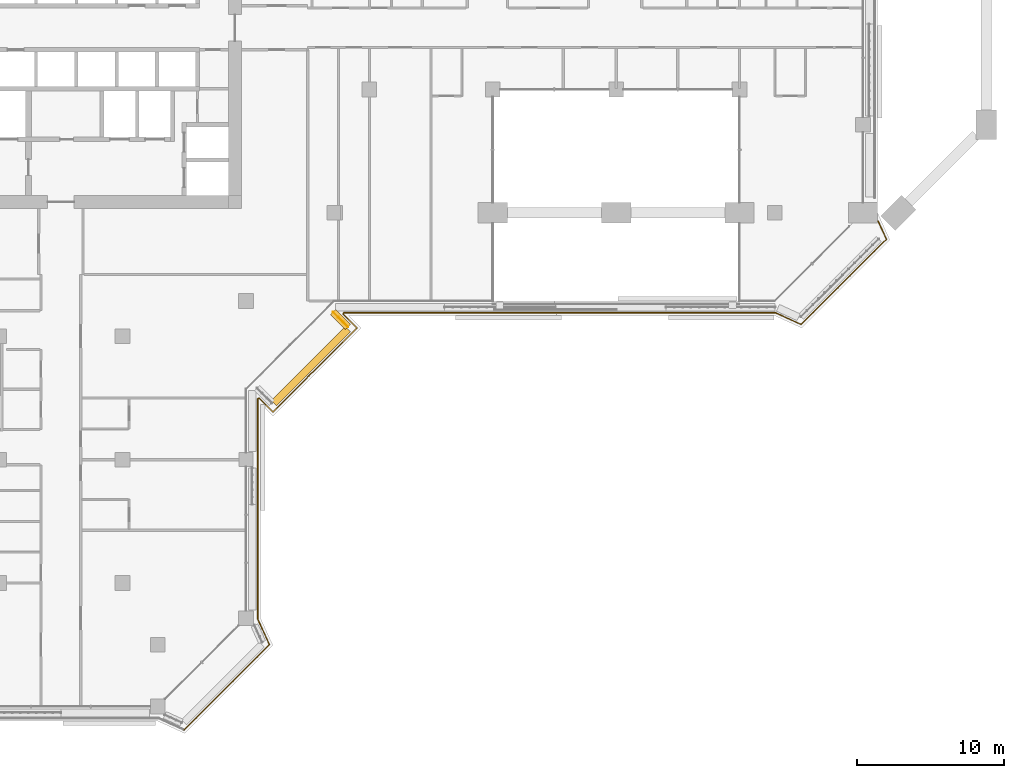
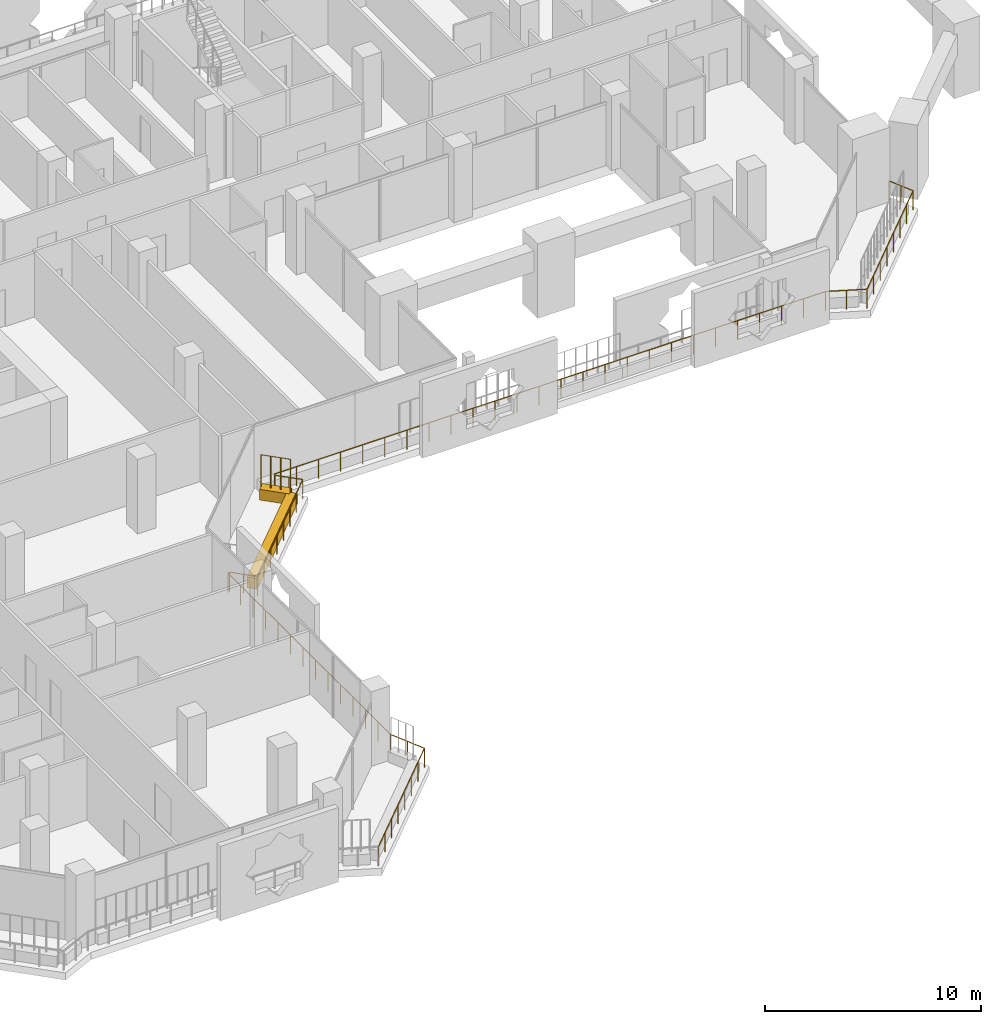
# One storey, part 19 of 24: 2 coverings, 2 railings.
"""IFC4 building model written with IfcOpenShell, lengths in metres."""

import ifcopenshell
import ifcopenshell.guid

model = None  # the IFC model being written
_history = None  # IfcOwnerHistory: only IFC2X3 demands one
_inside = {}  # id of a spatial element -> (the spatial element, [elements in it])
_under = {}  # id of a project, library or spatial element -> (it, [spatial elements below it])
_declared = {}  # id of a project -> (the project, [libraries it declares])
_typed = {}  # id of a type object -> (the type object, [elements of that type])
_made_of = {}  # id of a material, layer set ... -> (it, [elements and type objects made of it])


def new_model(schema):
    """Start an empty IFC model of exactly this schema.

    Asked for "IFC4X3", IfcOpenShell would pick the latest addendum, in which some entities
    have other attributes; the version numbers below select the first issue.
    IFC2X3 requires an IfcOwnerHistory on every rooted entity: one is made here for all.
    """
    global model, _history
    if schema == "IFC4X3":
        model = ifcopenshell.file(schema_version=(4, 3, 0, 0))
    else:
        model = ifcopenshell.file(schema=schema)
    _inside.clear()
    _under.clear()
    _declared.clear()
    _typed.clear()
    _made_of.clear()
    _history = None
    if model.schema == "IFC2X3":
        org = make("IfcOrganization", Name="unknown")
        user = make(
            "IfcPersonAndOrganization",
            ThePerson=make("IfcPerson", FamilyName="unknown"),
            TheOrganization=org,
        )
        app = make(
            "IfcApplication",
            ApplicationDeveloper=org,
            Version="unknown",
            ApplicationFullName="unknown",
            ApplicationIdentifier="unknown",
        )
        _history = make(
            "IfcOwnerHistory",
            OwningUser=user,
            OwningApplication=app,
            ChangeAction="ADDED",
            CreationDate=0,
        )
    return model


def make(cls, **values):
    """One entity of the class cls with the attributes given. An attribute that is None is left unset."""
    return model.create_entity(
        cls, **{name: value for name, value in values.items() if value is not None}
    )


def rooted(cls, **values):
    """An entity with a GlobalId (a new one), such as an element, a storey or a relation."""
    return make(cls, GlobalId=ifcopenshell.guid.new(), OwnerHistory=_history, **values)


def si_unit(unit_type, name, prefix=None):
    """IfcSIUnit, for example si_unit("LENGTHUNIT", "METRE", prefix="MILLI")."""
    return make("IfcSIUnit", UnitType=unit_type, Prefix=prefix, Name=name)


def assignment(units):
    """IfcUnitAssignment: the units of a project."""
    return None if units is None else make("IfcUnitAssignment", Units=units)


def point(xyz):
    """IfcCartesianPoint."""
    return None if xyz is None else make("IfcCartesianPoint", Coordinates=xyz)


def direction(xyz):
    """IfcDirection."""
    return None if xyz is None else make("IfcDirection", DirectionRatios=xyz)


def frame(location, z_axis=None, x_axis=None):
    """IfcAxis2Placement3D, a coordinate frame: its origin and axes. An axis left out is left unset."""
    return make(
        "IfcAxis2Placement3D",
        Location=point(location),
        Axis=direction(z_axis),
        RefDirection=direction(x_axis),
    )


def frame_2d(location, x_axis=None):
    """IfcAxis2Placement2D, a coordinate frame in the plane: its origin and x axis."""
    return make(
        "IfcAxis2Placement2D", Location=point(location), RefDirection=direction(x_axis)
    )


def origin():
    """The frame at (0, 0, 0) with its axes left unset."""
    return frame((0.0, 0.0, 0.0))


def origin_2d():
    """The frame at (0, 0) in the plane with its x axis left unset."""
    return frame_2d((0.0, 0.0))


def place(relative_to, where):
    """IfcLocalPlacement: puts the frame where relative to a parent placement (None: the world)."""
    return make(
        "IfcLocalPlacement", PlacementRelTo=relative_to, RelativePlacement=where
    )


def context(
    kind, dimensions, precision=None, world=None, true_north=None, identifier=None
):
    """IfcGeometricRepresentationContext, for example the 3D "Model" context."""
    return make(
        "IfcGeometricRepresentationContext",
        ContextIdentifier=identifier,
        ContextType=kind,
        CoordinateSpaceDimension=dimensions,
        Precision=precision,
        WorldCoordinateSystem=world,
        TrueNorth=true_north,
    )


def subcontext(parent, identifier, kind, view, scale=None):
    """IfcGeometricRepresentationSubContext, for example "Body" below "Model"."""
    return make(
        "IfcGeometricRepresentationSubContext",
        ContextIdentifier=identifier,
        ContextType=kind,
        ParentContext=parent,
        TargetScale=scale,
        TargetView=view,
    )


def project(units=None, contexts=None):
    """IfcProject with its units and contexts."""
    return rooted(
        "IfcProject",
        Name="project",
        RepresentationContexts=contexts,
        UnitsInContext=assignment(units),
    )


def spatial(cls, under=None, at=None, **own):
    """A site, building, storey or space (cls), placed at a placement, below another one or the project."""
    s = rooted(cls, ObjectPlacement=at, **own)
    if under is not None:
        _under.setdefault(under.id(), (under, []))[1].append(s)
    return s


def profile(cls, at=None, kind="AREA", **sizes):
    """A parametric profile (cls). Its sizes go by their IFC names, for example OverallWidth=200.0."""
    return make(cls, ProfileType=kind, Position=at, **sizes)


def rectangle(**sizes):
    """IfcRectangleProfileDef."""
    return profile("IfcRectangleProfileDef", **sizes)


def circle(**sizes):
    """IfcCircleProfileDef."""
    return profile("IfcCircleProfileDef", **sizes)


def extrude(swept, where, along, depth):
    """IfcExtrudedAreaSolid: the profile swept, set in the frame where, extruded along a direction by depth."""
    return make(
        "IfcExtrudedAreaSolid",
        SweptArea=swept,
        Position=where,
        ExtrudedDirection=direction(along),
        Depth=depth,
    )


def shape(context_of_items, identifier, shape_type, items):
    """IfcShapeRepresentation: the items that make up one representation, for example the "Body"."""
    return make(
        "IfcShapeRepresentation",
        ContextOfItems=context_of_items,
        RepresentationIdentifier=identifier,
        RepresentationType=shape_type,
        Items=items,
    )


def material(Name=None, Category=None):
    """IfcMaterial."""
    return make("IfcMaterial", Name=Name, Category=Category)


def material_profile(
    of_material, cross_section, Name=None, Category=None, Priority=None
):
    """IfcMaterialProfile: a cross section and its material."""
    return make(
        "IfcMaterialProfile",
        Name=Name,
        Material=of_material,
        Profile=cross_section,
        Priority=Priority,
        Category=Category,
    )


def profile_set(profiles, Name=None, composite=None):
    """IfcMaterialProfileSet."""
    return make(
        "IfcMaterialProfileSet",
        Name=Name,
        MaterialProfiles=profiles,
        CompositeProfile=composite,
    )


def made_of(thing, what):
    """Note that an element or type object is made of a material, layer set ...; save() writes the relation."""
    if what is not None:
        _made_of.setdefault(what.id(), (what, []))[1].append(thing)
    return thing


def type_object(cls, material=None, **own):
    """A type object (cls), such as IfcWallType, which elements share."""
    return made_of(rooted(cls, **own), material)


def element(
    cls,
    number,
    at=None,
    inside=None,
    cuts=None,
    type_object=None,
    material=None,
    context=None,
    identifier="Body",
    shape_type=None,
    held_by="IfcProductDefinitionShape",
    body=None,
    shapes=None,
    **own,
):
    """One element of the class cls, such as IfcWall. Its Tag is "e" and its number.

    at: its placement. inside: the storey or other place that contains it. cuts: it is an
    opening in that element (IfcRelVoidsElement). A single representation is given by context,
    identifier, shape_type and body (its items); several are given by shapes. held_by: the class
    of the entity that holds the representations. save() writes the other relations.
    """
    e = rooted(cls, Tag="e%d" % number, ObjectPlacement=at, **own)
    if body is not None:
        shapes = [shape(context, identifier, shape_type, body)]
    if shapes is not None:
        e.Representation = make(held_by, Representations=shapes)
    if inside is not None:
        _inside.setdefault(inside.id(), (inside, []))[1].append(e)
    if cuts is not None:
        rooted(
            "IfcRelVoidsElement", RelatingBuildingElement=cuts, RelatedOpeningElement=e
        )
    if type_object is not None:
        _typed.setdefault(type_object.id(), (type_object, []))[1].append(e)
    return made_of(e, material)


def aggregate(whole, parts):
    """IfcRelAggregates: a whole, such as a stair, and the parts it consists of."""
    return rooted("IfcRelAggregates", RelatingObject=whole, RelatedObjects=parts)


def save(model, path):
    """Write the relations noted so far, then the file.

    IfcRelAggregates (storeys below a building ...), IfcRelContainedInSpatialStructure (elements
    in a storey), IfcRelDefinesByType, IfcRelAssociatesMaterial and IfcRelDeclares: one each for
    every whole, place, type object, material and project.
    """
    for whole, parts in _under.values():
        aggregate(whole, parts)
    for where, things in _inside.values():
        rooted(
            "IfcRelContainedInSpatialStructure",
            RelatedElements=things,
            RelatingStructure=where,
        )
    for kind, things in _typed.values():
        rooted("IfcRelDefinesByType", RelatedObjects=things, RelatingType=kind)
    for what, things in _made_of.values():
        rooted("IfcRelAssociatesMaterial", RelatedObjects=things, RelatingMaterial=what)
    for by, libraries in _declared.values():
        rooted("IfcRelDeclares", RelatingContext=by, RelatedDefinitions=libraries)
    model.write(path)


model = new_model("IFC4")

# Units and contexts
model_context = context("Model", 3, precision=1e-05, world=origin(), true_north=direction((0.0, 1.0)))
body_context = subcontext(model_context, "Body", "Model", "MODEL_VIEW")
ifc_project = project(units=[si_unit("LENGTHUNIT", "METRE"), si_unit("AREAUNIT", "SQUARE_METRE"), si_unit("VOLUMEUNIT", "CUBIC_METRE"), si_unit("PLANEANGLEUNIT", "RADIAN"), si_unit("MASSUNIT", "GRAM", prefix="KILO")], contexts=[model_context])

# Site, building, storey
site_placement = place(None, origin())
site = spatial("IfcSite", under=ifc_project, at=site_placement, CompositionType="ELEMENT")
building_placement = place(site_placement, origin())
building = spatial("IfcBuilding", under=site, at=building_placement, Name="Kawkab Arch Medical Tower", CompositionType="ELEMENT")
storey_placement = place(building_placement, frame((0.0, 0.0, 162.60009765625)))
storey = spatial("IfcBuildingStorey", under=building, at=storey_placement, Name="L37", CompositionType="ELEMENT", Elevation=162.60009765625)

# Railing
ifc_material_1 = material(Name="Bronze anodised aluminium guard", Category="aluminium")
railing_type_1 = type_object("IfcRailingType", Name="Loggia and terrace guard 1100", PredefinedType="GUARDRAIL", material=ifc_material_1)
railing_1_placement = place(storey_placement, frame((68.22998046875, -25.748046875, 0.0)))
element("IfcRailing", 1, at=railing_1_placement, inside=storey, type_object=railing_type_1, Name="Guard L37.LOG-01.2.2", PredefinedType="GUARDRAIL", context=body_context, shape_type="SweptSolid", body=[
    extrude(circle(Radius=0.02392578125, at=origin_2d()), frame((0.0, 0.0, 1.076171875), z_axis=(0.414567890698, -0.910018386629, 0.0), x_axis=(0.910018386629, 0.414567890698, 0.0)), (0.0, 0.0, 1.0), 1.370361328125),
    extrude(circle(Radius=0.02392578125, at=origin_2d()), frame((0.568115234375, -1.2470703125, 1.076171875), z_axis=(-0.707106781187, -0.707106781187, 0.0), x_axis=(0.707106781187, -0.707106781187, 0.0)), (0.0, 0.0, 1.0), 8.20654296875),
    extrude(circle(Radius=0.02392578125, at=origin_2d()), frame((-5.23486328125, -7.050048828125, 1.076171875), z_axis=(-0.910044860056, 0.414509773934, 0.0), x_axis=(-0.414509773934, -0.910044860056, 0.0)), (0.0, 0.0, 1.0), 1.92529296875),
    extrude(circle(Radius=0.02392578125, at=origin_2d()), frame((-6.987060546875, -6.251953125, 1.076171875), z_axis=(-1.0, 0.0, 0.0), x_axis=(0.0, -1.0, 0.0)), (0.0, 0.0, 1.0), 29.392822265625),
    extrude(circle(Radius=0.02392578125, at=origin_2d()), frame((-36.3798828125, -6.251953125, 1.076171875), z_axis=(-0.383763674343, -0.923431341387, 0.0), x_axis=(0.923431341387, -0.383763674343, 0.0)), (0.0, 0.0, 1.0), 0.101806640625),
    extrude(circle(Radius=0.02392578125, at=origin_2d()), frame((-36.4189453125, -6.345947265625, 1.076171875), z_axis=(0.707015335112, -0.707198215437, 0.0), x_axis=(0.707198215437, 0.707015335112, 0.0)), (0.0, 0.0, 1.0), 1.3349609375),
    extrude(circle(Radius=0.02392578125, at=origin_2d()), frame((-35.47509765625, -7.2900390625, 1.076171875), z_axis=(-0.707106781187, -0.707106781187, 0.0), x_axis=(0.707106781187, -0.707106781187, 0.0)), (0.0, 0.0, 1.0), 8.084716796875),
    extrude(circle(Radius=0.02392578125, at=origin_2d()), frame((-41.19189453125, -13.0068359375, 1.076171875), z_axis=(-0.707198215437, 0.707015335112, 0.0), x_axis=(-0.707015335112, -0.707198215437, 0.0)), (0.0, 0.0, 1.0), 1.3349609375),
    extrude(circle(Radius=0.02392578125, at=origin_2d()), frame((-42.135986328125, -12.06298828125, 1.076171875), z_axis=(-0.923431341387, -0.383763674343, 0.0), x_axis=(0.383763674343, -0.923431341387, 0.0)), (0.0, 0.0, 1.0), 0.101806640625),
    extrude(circle(Radius=0.02392578125, at=origin_2d()), frame((-42.22998046875, -12.10205078125, 1.076171875), z_axis=(0.0, -1.0, 0.0), x_axis=(1.0, 0.0, 0.0)), (0.0, 0.0, 1.0), 14.992919921875),
    extrude(circle(Radius=0.02392578125, at=origin_2d()), frame((-42.22998046875, -27.094970703125, 1.076171875), z_axis=(0.414557610759, -0.910023069687, 0.0), x_axis=(0.910023069687, 0.414557610759, 0.0)), (0.0, 0.0, 1.0), 1.92529296875),
    extrude(circle(Radius=0.02392578125, at=origin_2d()), frame((-41.431884765625, -28.846923828125, 1.076171875), z_axis=(-0.707106781187, -0.707106781187, 0.0), x_axis=(0.707106781187, -0.707106781187, 0.0)), (0.0, 0.0, 1.0), 8.20654296875),
    extrude(circle(Radius=0.02099609375, at=origin_2d()), origin(), (0.0, 0.0, 1.0), 1.052001953125),
    extrude(circle(Radius=0.02099609375, at=origin_2d()), frame((0.2841796875, -0.62353515625, 0.0)), (0.0, 0.0, 1.0), 1.052001953125),
    extrude(circle(Radius=0.02099609375, at=origin_2d()), frame((0.568115234375, -1.2470703125, 0.0)), (0.0, 0.0, 1.0), 1.052001953125),
    extrude(circle(Radius=0.02099609375, at=origin_2d()), frame((-0.260986328125, -2.076171875, 0.0)), (0.0, 0.0, 1.0), 1.052001953125),
    extrude(circle(Radius=0.02099609375, at=origin_2d()), frame((-1.08984375, -2.905029296875, 0.0)), (0.0, 0.0, 1.0), 1.052001953125),
    extrude(circle(Radius=0.02099609375, at=origin_2d()), frame((-1.9189453125, -3.734130859375, 0.0)), (0.0, 0.0, 1.0), 1.052001953125),
    extrude(circle(Radius=0.02099609375, at=origin_2d()), frame((-2.747802734375, -4.56298828125, 0.0)), (0.0, 0.0, 1.0), 1.052001953125),
    extrude(circle(Radius=0.02099609375, at=origin_2d()), frame((-3.576904296875, -5.39208984375, 0.0)), (0.0, 0.0, 1.0), 1.052001953125),
    extrude(circle(Radius=0.02099609375, at=origin_2d()), frame((-4.40576171875, -6.220947265625, 0.0)), (0.0, 0.0, 1.0), 1.052001953125),
    extrude(circle(Radius=0.02099609375, at=origin_2d()), frame((-5.23486328125, -7.050048828125, 0.0)), (0.0, 0.0, 1.0), 1.052001953125),
    extrude(circle(Radius=0.02099609375, at=origin_2d()), frame((-6.11083984375, -6.65087890625, 0.0)), (0.0, 0.0, 1.0), 1.052001953125),
    extrude(circle(Radius=0.02099609375, at=origin_2d()), frame((-6.987060546875, -6.251953125, 0.0)), (0.0, 0.0, 1.0), 1.052001953125),
    extrude(circle(Radius=0.02099609375, at=origin_2d()), frame((-8.162841796875, -6.251953125, 0.0)), (0.0, 0.0, 1.0), 1.052001953125),
    extrude(circle(Radius=0.02099609375, at=origin_2d()), frame((-9.33837890625, -6.251953125, 0.0)), (0.0, 0.0, 1.0), 1.052001953125),
    extrude(circle(Radius=0.02099609375, at=origin_2d()), frame((-10.51416015625, -6.251953125, 0.0)), (0.0, 0.0, 1.0), 1.052001953125),
    extrude(circle(Radius=0.02099609375, at=origin_2d()), frame((-11.68994140625, -6.251953125, 0.0)), (0.0, 0.0, 1.0), 1.052001953125),
    extrude(circle(Radius=0.02099609375, at=origin_2d()), frame((-12.86572265625, -6.251953125, 0.0)), (0.0, 0.0, 1.0), 1.052001953125),
    extrude(circle(Radius=0.02099609375, at=origin_2d()), frame((-14.041259765625, -6.251953125, 0.0)), (0.0, 0.0, 1.0), 1.052001953125),
    extrude(circle(Radius=0.02099609375, at=origin_2d()), frame((-15.217041015625, -6.251953125, 0.0)), (0.0, 0.0, 1.0), 1.052001953125),
    extrude(circle(Radius=0.02099609375, at=origin_2d()), frame((-16.392822265625, -6.251953125, 0.0)), (0.0, 0.0, 1.0), 1.052001953125),
    extrude(circle(Radius=0.02099609375, at=origin_2d()), frame((-17.568359375, -6.251953125, 0.0)), (0.0, 0.0, 1.0), 1.052001953125),
    extrude(circle(Radius=0.02099609375, at=origin_2d()), frame((-18.744140625, -6.251953125, 0.0)), (0.0, 0.0, 1.0), 1.052001953125),
    extrude(circle(Radius=0.02099609375, at=origin_2d()), frame((-19.919921875, -6.251953125, 0.0)), (0.0, 0.0, 1.0), 1.052001953125),
    extrude(circle(Radius=0.02099609375, at=origin_2d()), frame((-21.095703125, -6.251953125, 0.0)), (0.0, 0.0, 1.0), 1.052001953125),
    extrude(circle(Radius=0.02099609375, at=origin_2d()), frame((-22.271240234375, -6.251953125, 0.0)), (0.0, 0.0, 1.0), 1.052001953125),
    extrude(circle(Radius=0.02099609375, at=origin_2d()), frame((-23.447021484375, -6.251953125, 0.0)), (0.0, 0.0, 1.0), 1.052001953125),
    extrude(circle(Radius=0.02099609375, at=origin_2d()), frame((-24.622802734375, -6.251953125, 0.0)), (0.0, 0.0, 1.0), 1.052001953125),
    extrude(circle(Radius=0.02099609375, at=origin_2d()), frame((-25.798583984375, -6.251953125, 0.0)), (0.0, 0.0, 1.0), 1.052001953125),
    extrude(circle(Radius=0.02099609375, at=origin_2d()), frame((-26.97412109375, -6.251953125, 0.0)), (0.0, 0.0, 1.0), 1.052001953125),
    extrude(circle(Radius=0.02099609375, at=origin_2d()), frame((-28.14990234375, -6.251953125, 0.0)), (0.0, 0.0, 1.0), 1.052001953125),
    extrude(circle(Radius=0.02099609375, at=origin_2d()), frame((-29.32568359375, -6.251953125, 0.0)), (0.0, 0.0, 1.0), 1.052001953125),
    extrude(circle(Radius=0.02099609375, at=origin_2d()), frame((-30.501220703125, -6.251953125, 0.0)), (0.0, 0.0, 1.0), 1.052001953125),
    extrude(circle(Radius=0.02099609375, at=origin_2d()), frame((-31.677001953125, -6.251953125, 0.0)), (0.0, 0.0, 1.0), 1.052001953125),
    extrude(circle(Radius=0.02099609375, at=origin_2d()), frame((-32.852783203125, -6.251953125, 0.0)), (0.0, 0.0, 1.0), 1.052001953125),
    extrude(circle(Radius=0.02099609375, at=origin_2d()), frame((-34.028564453125, -6.251953125, 0.0)), (0.0, 0.0, 1.0), 1.052001953125),
    extrude(circle(Radius=0.02099609375, at=origin_2d()), frame((-35.2041015625, -6.251953125, 0.0)), (0.0, 0.0, 1.0), 1.052001953125),
    extrude(circle(Radius=0.02099609375, at=origin_2d()), frame((-36.3798828125, -6.251953125, 0.0)), (0.0, 0.0, 1.0), 1.052001953125),
    extrude(circle(Radius=0.02099609375, at=origin_2d()), frame((-36.4189453125, -6.345947265625, 0.0)), (0.0, 0.0, 1.0), 1.052001953125),
    extrude(circle(Radius=0.02099609375, at=origin_2d()), frame((-35.947021484375, -6.81787109375, 0.0)), (0.0, 0.0, 1.0), 1.052001953125),
    extrude(circle(Radius=0.02099609375, at=origin_2d()), frame((-35.47509765625, -7.2900390625, 0.0)), (0.0, 0.0, 1.0), 1.052001953125),
    extrude(circle(Radius=0.02099609375, at=origin_2d()), frame((-36.291748046875, -8.106689453125, 0.0)), (0.0, 0.0, 1.0), 1.052001953125),
    extrude(circle(Radius=0.02099609375, at=origin_2d()), frame((-37.1083984375, -8.92333984375, 0.0)), (0.0, 0.0, 1.0), 1.052001953125),
    extrude(circle(Radius=0.02099609375, at=origin_2d()), frame((-37.925048828125, -9.739990234375, 0.0)), (0.0, 0.0, 1.0), 1.052001953125),
    extrude(circle(Radius=0.02099609375, at=origin_2d()), frame((-38.741943359375, -10.556884765625, 0.0)), (0.0, 0.0, 1.0), 1.052001953125),
    extrude(circle(Radius=0.02099609375, at=origin_2d()), frame((-39.55859375, -11.37353515625, 0.0)), (0.0, 0.0, 1.0), 1.052001953125),
    extrude(circle(Radius=0.02099609375, at=origin_2d()), frame((-40.375244140625, -12.190185546875, 0.0)), (0.0, 0.0, 1.0), 1.052001953125),
    extrude(circle(Radius=0.02099609375, at=origin_2d()), frame((-41.19189453125, -13.0068359375, 0.0)), (0.0, 0.0, 1.0), 1.052001953125),
    extrude(circle(Radius=0.02099609375, at=origin_2d()), frame((-41.6640625, -12.534912109375, 0.0)), (0.0, 0.0, 1.0), 1.052001953125),
    extrude(circle(Radius=0.02099609375, at=origin_2d()), frame((-42.135986328125, -12.06298828125, 0.0)), (0.0, 0.0, 1.0), 1.052001953125),
    extrude(circle(Radius=0.02099609375, at=origin_2d()), frame((-42.22998046875, -12.10205078125, 0.0)), (0.0, 0.0, 1.0), 1.052001953125),
    extrude(circle(Radius=0.02099609375, at=origin_2d()), frame((-42.22998046875, -13.25537109375, 0.0)), (0.0, 0.0, 1.0), 1.052001953125),
    extrude(circle(Radius=0.02099609375, at=origin_2d()), frame((-42.22998046875, -14.40869140625, 0.0)), (0.0, 0.0, 1.0), 1.052001953125),
    extrude(circle(Radius=0.02099609375, at=origin_2d()), frame((-42.22998046875, -15.56201171875, 0.0)), (0.0, 0.0, 1.0), 1.052001953125),
    extrude(circle(Radius=0.02099609375, at=origin_2d()), frame((-42.22998046875, -16.71533203125, 0.0)), (0.0, 0.0, 1.0), 1.052001953125),
    extrude(circle(Radius=0.02099609375, at=origin_2d()), frame((-42.22998046875, -17.86865234375, 0.0)), (0.0, 0.0, 1.0), 1.052001953125),
    extrude(circle(Radius=0.02099609375, at=origin_2d()), frame((-42.22998046875, -19.02197265625, 0.0)), (0.0, 0.0, 1.0), 1.052001953125),
    extrude(circle(Radius=0.02099609375, at=origin_2d()), frame((-42.22998046875, -20.175048828125, 0.0)), (0.0, 0.0, 1.0), 1.052001953125),
    extrude(circle(Radius=0.02099609375, at=origin_2d()), frame((-42.22998046875, -21.328369140625, 0.0)), (0.0, 0.0, 1.0), 1.052001953125),
    extrude(circle(Radius=0.02099609375, at=origin_2d()), frame((-42.22998046875, -22.481689453125, 0.0)), (0.0, 0.0, 1.0), 1.052001953125),
    extrude(circle(Radius=0.02099609375, at=origin_2d()), frame((-42.22998046875, -23.635009765625, 0.0)), (0.0, 0.0, 1.0), 1.052001953125),
    extrude(circle(Radius=0.02099609375, at=origin_2d()), frame((-42.22998046875, -24.788330078125, 0.0)), (0.0, 0.0, 1.0), 1.052001953125),
    extrude(circle(Radius=0.02099609375, at=origin_2d()), frame((-42.22998046875, -25.941650390625, 0.0)), (0.0, 0.0, 1.0), 1.052001953125),
    extrude(circle(Radius=0.02099609375, at=origin_2d()), frame((-42.22998046875, -27.094970703125, 0.0)), (0.0, 0.0, 1.0), 1.052001953125),
    extrude(circle(Radius=0.02099609375, at=origin_2d()), frame((-41.8310546875, -27.970947265625, 0.0)), (0.0, 0.0, 1.0), 1.052001953125),
    extrude(circle(Radius=0.02099609375, at=origin_2d()), frame((-41.431884765625, -28.846923828125, 0.0)), (0.0, 0.0, 1.0), 1.052001953125),
    extrude(circle(Radius=0.02099609375, at=origin_2d()), frame((-42.260986328125, -29.676025390625, 0.0)), (0.0, 0.0, 1.0), 1.052001953125),
    extrude(circle(Radius=0.02099609375, at=origin_2d()), frame((-43.08984375, -30.5048828125, 0.0)), (0.0, 0.0, 1.0), 1.052001953125),
    extrude(circle(Radius=0.02099609375, at=origin_2d()), frame((-43.9189453125, -31.333984375, 0.0)), (0.0, 0.0, 1.0), 1.052001953125),
    extrude(circle(Radius=0.02099609375, at=origin_2d()), frame((-44.747802734375, -32.162841796875, 0.0)), (0.0, 0.0, 1.0), 1.052001953125),
    extrude(circle(Radius=0.02099609375, at=origin_2d()), frame((-45.576904296875, -32.991943359375, 0.0)), (0.0, 0.0, 1.0), 1.052001953125),
    extrude(circle(Radius=0.02099609375, at=origin_2d()), frame((-46.40576171875, -33.82080078125, 0.0)), (0.0, 0.0, 1.0), 1.052001953125),
    extrude(circle(Radius=0.02099609375, at=origin_2d()), frame((-47.23486328125, -34.64990234375, 0.0)), (0.0, 0.0, 1.0), 1.052001953125),
])

# Coverings
ifc_material_2 = material(Name="Planting soil in a precast trough", Category="concrete")
ifc_material_profile = material_profile(ifc_material_2, rectangle(XDim=0.5, YDim=0.60009765625, at=origin_2d()), Name="Trough 500x600")
ifc_profile_set = profile_set([ifc_material_profile], Name="Planting soil in a precast trough")
covering_type = type_object("IfcCoveringType", Name="Planter trough 500 x 600", PredefinedType="USERDEFINED", material=ifc_profile_set)
covering_1_placement = place(storey_placement, frame((31.14306640625, -31.962890625, 0.2998046875), z_axis=(0.707020805532, -0.707192746389, 0.0), x_axis=(0.707192746389, 0.707020805532, 0.0)))
element("IfcCovering", 2, at=covering_1_placement, inside=storey, type_object=covering_type, Name="Planter L37.LOG-01-02.39", ObjectType="PLANTER", PredefinedType="USERDEFINED", context=body_context, shape_type="SweptSolid", body=[
    extrude(rectangle(XDim=0.5, YDim=0.60009765625, at=origin_2d()), origin(), (0.0, 0.0, 1.0), 1.419921875),
])
covering_2_placement = place(storey_placement, frame((32.14697265625, -33.10888671875, 0.2998046875), z_axis=(-0.707106781187, -0.707106781187, 0.0), x_axis=(0.707106781187, -0.707106781187, 0.0)))
element("IfcCovering", 3, at=covering_2_placement, inside=storey, type_object=covering_type, Name="Planter L37.LOG-01-02.40", ObjectType="PLANTER", PredefinedType="USERDEFINED", context=body_context, shape_type="SweptSolid", body=[
    extrude(rectangle(XDim=0.5, YDim=0.60009765625, at=origin_2d()), origin(), (0.0, 0.0, 1.0), 7.125),
])

# Railing
ifc_material_3 = material(Name="Bronze anodised aluminium trellis for climbing plants", Category="aluminium")
railing_type_2 = type_object("IfcRailingType", Name="Planting trellis 2400", PredefinedType="USERDEFINED", material=ifc_material_3)
railing_2_placement = place(storey_placement, frame((31.14306640625, -31.962890625, 0.0)))
element("IfcRailing", 4, at=railing_2_placement, inside=storey, type_object=railing_type_2, Name="Planting trellis L37.LOG-01-02.39", ObjectType="TRELLIS", PredefinedType="USERDEFINED", context=body_context, shape_type="SweptSolid", body=[
    extrude(circle(Radius=0.01513671875, at=origin_2d()), frame((0.0, 0.0, 2.384765625), z_axis=(0.707020805532, -0.707192746389, 0.0), x_axis=(0.707192746389, 0.707020805532, 0.0)), (0.0, 0.0, 1.0), 1.419921875),
    extrude(circle(Radius=0.030029296875, at=origin_2d()), origin(), (0.0, 0.0, 1.0), 2.369873046875),
    extrude(circle(Radius=0.030029296875, at=origin_2d()), frame((0.334716796875, -0.334716796875, 0.0)), (0.0, 0.0, 1.0), 2.369873046875),
    extrude(circle(Radius=0.030029296875, at=origin_2d()), frame((0.669189453125, -0.66943359375, 0.0)), (0.0, 0.0, 1.0), 2.369873046875),
    extrude(circle(Radius=0.030029296875, at=origin_2d()), frame((1.00390625, -1.004150390625, 0.0)), (0.0, 0.0, 1.0), 2.369873046875),
])

save(model, "model.ifc")
